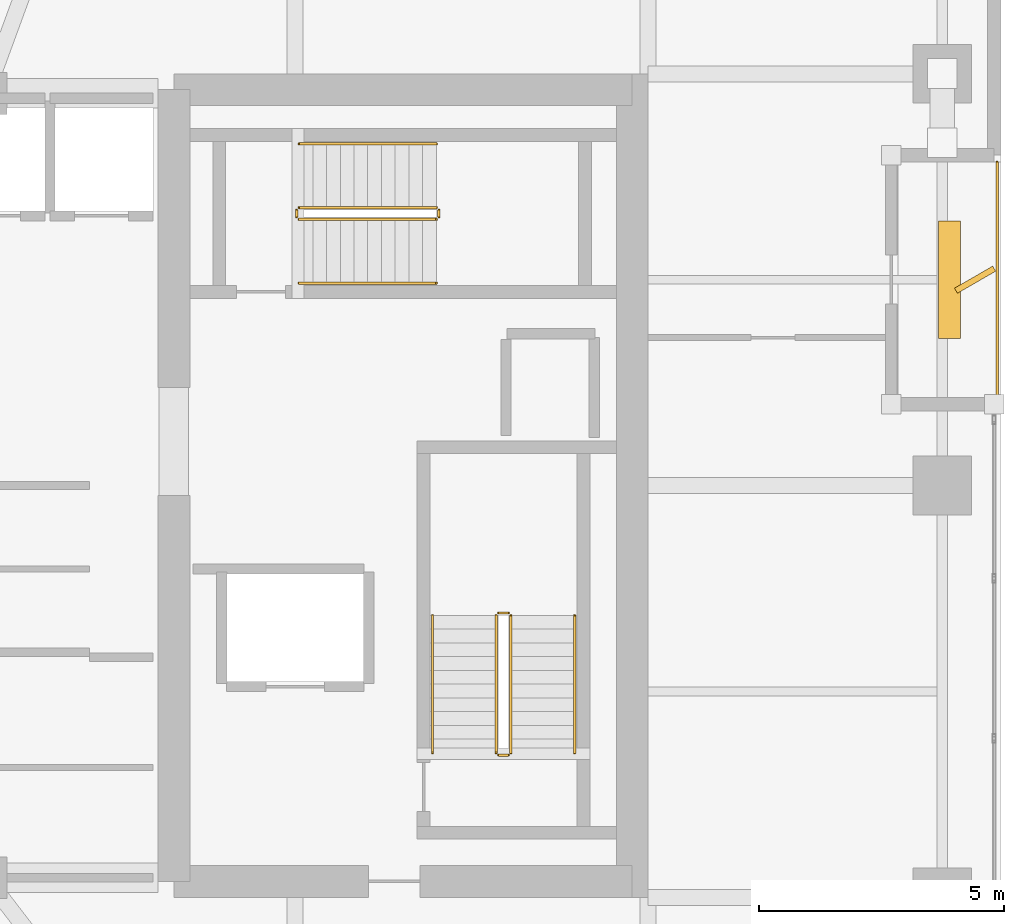
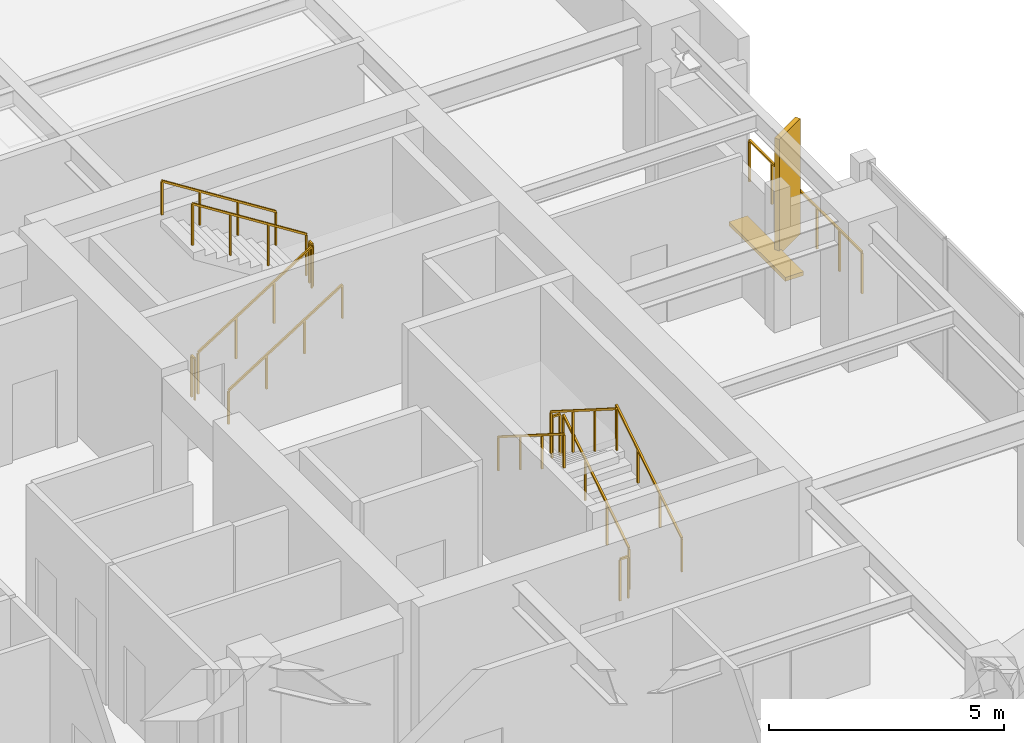
# One storey, part 25 of 26: 13 railings, 2 shading devices.
"""IFC4 building model written with IfcOpenShell, lengths in metres."""

from ifc_helpers import new_model, si_unit, direction, frame, origin, origin_2d, place, context, subcontext, project, spatial, rectangle, extrude, material, type_object, element, save


model = new_model("IFC4")

# Units and contexts
model_context = context("Model", 3, precision=1e-05, world=origin(), true_north=direction((0.0, 1.0)))
body_context = subcontext(model_context, "Body", "Model", "MODEL_VIEW")
ifc_project = project(units=[si_unit("LENGTHUNIT", "METRE"), si_unit("AREAUNIT", "SQUARE_METRE"), si_unit("VOLUMEUNIT", "CUBIC_METRE"), si_unit("PLANEANGLEUNIT", "RADIAN"), si_unit("MASSUNIT", "GRAM", prefix="KILO")], contexts=[model_context])

# Site, building, storey
site_placement = place(None, origin())
site = spatial("IfcSite", under=ifc_project, at=site_placement, CompositionType="ELEMENT")
building_placement = place(site_placement, origin())
building = spatial("IfcBuilding", under=site, at=building_placement, Name="Kiyonajd Concourse Tower", CompositionType="ELEMENT")
storey_placement = place(building_placement, frame((0.0, 0.0, 186.300048828125)))
storey = spatial("IfcBuildingStorey", under=building, at=storey_placement, Name="L47", CompositionType="ELEMENT", Elevation=186.300048828125)

# Railings
ifc_material_1 = material(Name="Thermally Broken Anodised Aluminium", Category="aluminium")
railing_type_1 = type_object("IfcRailingType", Name="RL-GRD-LOG", PredefinedType="GUARDRAIL", material=ifc_material_1)
railing_1_placement = place(storey_placement, frame((70.719970703125, 37.800048828125, 0.0)))
element("IfcRailing", 1, at=railing_1_placement, inside=storey, type_object=railing_type_1, Name="L47 Engawa Loggia Perimeter Guard LOG-E", PredefinedType="GUARDRAIL", context=body_context, shape_type="SweptSolid", body=[
    extrude(rectangle(XDim=0.048095703125, YDim=0.048095703125, at=origin_2d()), frame((0.0, 0.0, 1.076171875), z_axis=(0.0, 1.0, 0.0), x_axis=(-1.0, 0.0, 0.0)), (0.0, 0.0, 1.0), 4.800048828125),
    extrude(rectangle(XDim=0.0419921875, YDim=0.0419921875, at=origin_2d()), origin(), (0.0, 0.0, 1.0), 1.052001953125),
    extrude(rectangle(XDim=0.0419921875, YDim=0.0419921875, at=origin_2d()), frame((0.0, 0.9599609375, 0.0)), (0.0, 0.0, 1.0), 1.052001953125),
    extrude(rectangle(XDim=0.0419921875, YDim=0.0419921875, at=origin_2d()), frame((0.0, 1.919921875, 0.0)), (0.0, 0.0, 1.0), 1.052001953125),
    extrude(rectangle(XDim=0.0419921875, YDim=0.0419921875, at=origin_2d()), frame((0.0, 2.880126953125, 0.0)), (0.0, 0.0, 1.0), 1.052001953125),
    extrude(rectangle(XDim=0.0419921875, YDim=0.0419921875, at=origin_2d()), frame((0.0, 3.840087890625, 0.0)), (0.0, 0.0, 1.0), 1.052001953125),
    extrude(rectangle(XDim=0.0419921875, YDim=0.0419921875, at=origin_2d()), frame((0.0, 4.800048828125, 0.0)), (0.0, 0.0, 1.0), 1.052001953125),
])
ifc_material_2 = material(Name="Steel ASTM A500 Grade C", Category="steel")
railing_type_2 = type_object("IfcRailingType", Name="RL-GRD-STR", PredefinedType="GUARDRAIL", material=ifc_material_2)
railing_2_placement = place(storey_placement, frame((60.800048828125, 30.550048828125, 0.17724609375)))
element("IfcRailing", 2, at=railing_2_placement, inside=storey, type_object=railing_type_2, Name="L47 ST2 stair guard 1", PredefinedType="GUARDRAIL", context=body_context, shape_type="SweptSolid", body=[
    extrude(rectangle(XDim=0.048095703125, YDim=0.048095703125, at=origin_2d()), frame((0.0, 0.0, 1.076171875), z_axis=(0.0, 0.844908973607, 0.534910110503), x_axis=(-1.0, 0.0, 0.0)), (0.0, 0.0, 1.0), 3.31396484375),
    extrude(rectangle(XDim=0.0419921875, YDim=0.0419921875, at=origin_2d()), origin(), (0.0, 0.0, 1.0), 1.052001953125),
    extrude(rectangle(XDim=0.0419921875, YDim=0.0419921875, at=origin_2d()), frame((0.0, 0.933349609375, 0.5908203125)), (0.0, 0.0, 1.0), 1.052001953125),
    extrude(rectangle(XDim=0.0419921875, YDim=0.0419921875, at=origin_2d()), frame((0.0, 1.86669921875, 1.181884765625)), (0.0, 0.0, 1.0), 1.052001953125),
    extrude(rectangle(XDim=0.0419921875, YDim=0.0419921875, at=origin_2d()), frame((0.0, 2.800048828125, 1.772705078125)), (0.0, 0.0, 1.0), 1.052001953125),
])
railing_3_placement = place(storey_placement, frame((60.75, 33.39990234375, 1.949951171875)))
element("IfcRailing", 3, at=railing_3_placement, inside=storey, type_object=railing_type_2, Name="L47 ST2 stair guard 2", PredefinedType="GUARDRAIL", context=body_context, shape_type="SweptSolid", body=[
    extrude(rectangle(XDim=0.048095703125, YDim=0.048095703125, at=origin_2d()), frame((0.0, 0.0, 1.076171875), z_axis=(-1.0, 0.0, 0.0), x_axis=(0.0, -1.0, 0.0)), (0.0, 0.0, 1.0), 0.199951171875),
    extrude(rectangle(XDim=0.0419921875, YDim=0.0419921875, at=origin_2d()), origin(), (0.0, 0.0, 1.0), 1.052001953125),
    extrude(rectangle(XDim=0.0419921875, YDim=0.0419921875, at=origin_2d()), frame((-0.199951171875, 0.0, 0.0)), (0.0, 0.0, 1.0), 1.052001953125),
])
railing_4_placement = place(storey_placement, frame((60.5, 33.35009765625, 2.127197265625)))
element("IfcRailing", 4, at=railing_4_placement, inside=storey, type_object=railing_type_2, Name="L47 ST2 stair guard 3", PredefinedType="GUARDRAIL", context=body_context, shape_type="SweptSolid", body=[
    extrude(rectangle(XDim=0.048095703125, YDim=0.048095703125, at=origin_2d()), frame((0.0, 0.0, 1.076171875), z_axis=(0.0, -0.844908973607, 0.534910110503), x_axis=(1.0, 0.0, 0.0)), (0.0, 0.0, 1.0), 3.31396484375),
    extrude(rectangle(XDim=0.0419921875, YDim=0.0419921875, at=origin_2d()), origin(), (0.0, 0.0, 1.0), 1.052001953125),
    extrude(rectangle(XDim=0.0419921875, YDim=0.0419921875, at=origin_2d()), frame((0.0, -0.933349609375, 0.5908203125)), (0.0, 0.0, 1.0), 1.052001953125),
    extrude(rectangle(XDim=0.0419921875, YDim=0.0419921875, at=origin_2d()), frame((0.0, -1.86669921875, 1.181884765625)), (0.0, 0.0, 1.0), 1.052001953125),
    extrude(rectangle(XDim=0.0419921875, YDim=0.0419921875, at=origin_2d()), frame((0.0, -2.800048828125, 1.772705078125)), (0.0, 0.0, 1.0), 1.052001953125),
])
railing_5_placement = place(storey_placement, frame((60.75, 30.5, 0.0)))
element("IfcRailing", 5, at=railing_5_placement, inside=storey, type_object=railing_type_2, Name="L47 ST2 stair guard 4", PredefinedType="GUARDRAIL", context=body_context, shape_type="SweptSolid", body=[
    extrude(rectangle(XDim=0.048095703125, YDim=0.048095703125, at=origin_2d()), frame((0.0, 0.0, 1.076171875), z_axis=(-1.0, 0.0, 0.0), x_axis=(0.0, -1.0, 0.0)), (0.0, 0.0, 1.0), 0.199951171875),
    extrude(rectangle(XDim=0.0419921875, YDim=0.0419921875, at=origin_2d()), origin(), (0.0, 0.0, 1.0), 1.052001953125),
    extrude(rectangle(XDim=0.0419921875, YDim=0.0419921875, at=origin_2d()), frame((-0.199951171875, 0.0, 0.0)), (0.0, 0.0, 1.0), 1.052001953125),
])
railing_6_placement = place(storey_placement, frame((56.47998046875, 41.429931640625, 0.17724609375)))
element("IfcRailing", 6, at=railing_6_placement, inside=storey, type_object=railing_type_2, Name="L47 ST3 stair guard 1", PredefinedType="GUARDRAIL", context=body_context, shape_type="SweptSolid", body=[
    extrude(rectangle(XDim=0.048095703125, YDim=0.048095703125, at=origin_2d()), frame((0.0, 0.0, 1.076171875), z_axis=(0.844908973607, 0.0, 0.534910110503), x_axis=(0.0, 1.0, 0.0)), (0.0, 0.0, 1.0), 3.31396484375),
    extrude(rectangle(XDim=0.0419921875, YDim=0.0419921875, at=origin_2d()), origin(), (0.0, 0.0, 1.0), 1.052001953125),
    extrude(rectangle(XDim=0.0419921875, YDim=0.0419921875, at=origin_2d()), frame((0.933349609375, 0.0, 0.5908203125)), (0.0, 0.0, 1.0), 1.052001953125),
    extrude(rectangle(XDim=0.0419921875, YDim=0.0419921875, at=origin_2d()), frame((1.86669921875, 0.0, 1.181884765625)), (0.0, 0.0, 1.0), 1.052001953125),
    extrude(rectangle(XDim=0.0419921875, YDim=0.0419921875, at=origin_2d()), frame((2.800048828125, 0.0, 1.772705078125)), (0.0, 0.0, 1.0), 1.052001953125),
])
railing_7_placement = place(storey_placement, frame((59.330078125, 41.47998046875, 1.949951171875)))
element("IfcRailing", 7, at=railing_7_placement, inside=storey, type_object=railing_type_2, Name="L47 ST3 stair guard 2", PredefinedType="GUARDRAIL", context=body_context, shape_type="SweptSolid", body=[
    extrude(rectangle(XDim=0.048095703125, YDim=0.048095703125, at=origin_2d()), frame((0.0, 0.0, 1.076171875), z_axis=(0.0, 1.0, 0.0), x_axis=(-1.0, 0.0, 0.0)), (0.0, 0.0, 1.0), 0.14013671875),
    extrude(rectangle(XDim=0.0419921875, YDim=0.0419921875, at=origin_2d()), origin(), (0.0, 0.0, 1.0), 1.052001953125),
    extrude(rectangle(XDim=0.0419921875, YDim=0.0419921875, at=origin_2d()), frame((0.0, 0.14013671875, 0.0)), (0.0, 0.0, 1.0), 1.052001953125),
])
railing_8_placement = place(storey_placement, frame((59.280029296875, 41.669921875, 2.127197265625)))
element("IfcRailing", 8, at=railing_8_placement, inside=storey, type_object=railing_type_2, Name="L47 ST3 stair guard 3", PredefinedType="GUARDRAIL", context=body_context, shape_type="SweptSolid", body=[
    extrude(rectangle(XDim=0.048095703125, YDim=0.048095703125, at=origin_2d()), frame((0.0, 0.0, 1.076171875), z_axis=(-0.844908973607, 0.0, 0.534910110503), x_axis=(0.0, -1.0, 0.0)), (0.0, 0.0, 1.0), 3.31396484375),
    extrude(rectangle(XDim=0.0419921875, YDim=0.0419921875, at=origin_2d()), origin(), (0.0, 0.0, 1.0), 1.052001953125),
    extrude(rectangle(XDim=0.0419921875, YDim=0.0419921875, at=origin_2d()), frame((-0.933349609375, 0.0, 0.5908203125)), (0.0, 0.0, 1.0), 1.052001953125),
    extrude(rectangle(XDim=0.0419921875, YDim=0.0419921875, at=origin_2d()), frame((-1.86669921875, 0.0, 1.181884765625)), (0.0, 0.0, 1.0), 1.052001953125),
    extrude(rectangle(XDim=0.0419921875, YDim=0.0419921875, at=origin_2d()), frame((-2.800048828125, 0.0, 1.772705078125)), (0.0, 0.0, 1.0), 1.052001953125),
])
railing_9_placement = place(storey_placement, frame((56.429931640625, 41.47998046875, 0.0)))
element("IfcRailing", 9, at=railing_9_placement, inside=storey, type_object=railing_type_2, Name="L47 ST3 stair guard 4", PredefinedType="GUARDRAIL", context=body_context, shape_type="SweptSolid", body=[
    extrude(rectangle(XDim=0.048095703125, YDim=0.048095703125, at=origin_2d()), frame((0.0, 0.0, 1.076171875), z_axis=(0.0, 1.0, 0.0), x_axis=(-1.0, 0.0, 0.0)), (0.0, 0.0, 1.0), 0.14013671875),
    extrude(rectangle(XDim=0.0419921875, YDim=0.0419921875, at=origin_2d()), origin(), (0.0, 0.0, 1.0), 1.052001953125),
    extrude(rectangle(XDim=0.0419921875, YDim=0.0419921875, at=origin_2d()), frame((0.0, 0.14013671875, 0.0)), (0.0, 0.0, 1.0), 1.052001953125),
])
ifc_material_3 = material(Name="Brushed Stainless Steel Cab Assembly", Category="steel")
railing_type_3 = type_object("IfcRailingType", Name="RL-HND-900", PredefinedType="HANDRAIL", material=ifc_material_3)
railing_10_placement = place(storey_placement, frame((62.10009765625, 30.550048828125, 0.17724609375)))
element("IfcRailing", 10, at=railing_10_placement, inside=storey, type_object=railing_type_3, Name="L47 ST2 stair handrail 1", PredefinedType="HANDRAIL", context=body_context, shape_type="SweptSolid", body=[
    extrude(rectangle(XDim=0.048095703125, YDim=0.048095703125, at=origin_2d()), frame((0.0, 0.0, 0.8759765625), z_axis=(0.0, 0.844908973607, 0.534910110503), x_axis=(-1.0, 0.0, 0.0)), (0.0, 0.0, 1.0), 3.31396484375),
    extrude(rectangle(XDim=0.0419921875, YDim=0.0419921875, at=origin_2d()), origin(), (0.0, 0.0, 1.0), 0.851806640625),
    extrude(rectangle(XDim=0.0419921875, YDim=0.0419921875, at=origin_2d()), frame((0.0, 0.933349609375, 0.5908203125)), (0.0, 0.0, 1.0), 0.851806640625),
    extrude(rectangle(XDim=0.0419921875, YDim=0.0419921875, at=origin_2d()), frame((0.0, 1.86669921875, 1.181884765625)), (0.0, 0.0, 1.0), 0.851806640625),
    extrude(rectangle(XDim=0.0419921875, YDim=0.0419921875, at=origin_2d()), frame((0.0, 2.800048828125, 1.772705078125)), (0.0, 0.0, 1.0), 0.851806640625),
])
railing_11_placement = place(storey_placement, frame((59.199951171875, 33.35009765625, 2.127197265625)))
element("IfcRailing", 11, at=railing_11_placement, inside=storey, type_object=railing_type_3, Name="L47 ST2 stair handrail 2", PredefinedType="HANDRAIL", context=body_context, shape_type="SweptSolid", body=[
    extrude(rectangle(XDim=0.048095703125, YDim=0.048095703125, at=origin_2d()), frame((0.0, 0.0, 0.8759765625), z_axis=(0.0, -0.844908973607, 0.534910110503), x_axis=(1.0, 0.0, 0.0)), (0.0, 0.0, 1.0), 3.31396484375),
    extrude(rectangle(XDim=0.0419921875, YDim=0.0419921875, at=origin_2d()), origin(), (0.0, 0.0, 1.0), 0.851806640625),
    extrude(rectangle(XDim=0.0419921875, YDim=0.0419921875, at=origin_2d()), frame((0.0, -0.933349609375, 0.5908203125)), (0.0, 0.0, 1.0), 0.851806640625),
    extrude(rectangle(XDim=0.0419921875, YDim=0.0419921875, at=origin_2d()), frame((0.0, -1.86669921875, 1.181884765625)), (0.0, 0.0, 1.0), 0.851806640625),
    extrude(rectangle(XDim=0.0419921875, YDim=0.0419921875, at=origin_2d()), frame((0.0, -2.800048828125, 1.772705078125)), (0.0, 0.0, 1.0), 0.851806640625),
])
railing_12_placement = place(storey_placement, frame((56.47998046875, 40.1298828125, 0.17724609375)))
element("IfcRailing", 12, at=railing_12_placement, inside=storey, type_object=railing_type_3, Name="L47 ST3 stair handrail 1", PredefinedType="HANDRAIL", context=body_context, shape_type="SweptSolid", body=[
    extrude(rectangle(XDim=0.048095703125, YDim=0.048095703125, at=origin_2d()), frame((0.0, 0.0, 0.8759765625), z_axis=(0.844908973607, 0.0, 0.534910110503), x_axis=(0.0, 1.0, 0.0)), (0.0, 0.0, 1.0), 3.31396484375),
    extrude(rectangle(XDim=0.0419921875, YDim=0.0419921875, at=origin_2d()), origin(), (0.0, 0.0, 1.0), 0.851806640625),
    extrude(rectangle(XDim=0.0419921875, YDim=0.0419921875, at=origin_2d()), frame((0.933349609375, 0.0, 0.5908203125)), (0.0, 0.0, 1.0), 0.851806640625),
    extrude(rectangle(XDim=0.0419921875, YDim=0.0419921875, at=origin_2d()), frame((1.86669921875, 0.0, 1.181884765625)), (0.0, 0.0, 1.0), 0.851806640625),
    extrude(rectangle(XDim=0.0419921875, YDim=0.0419921875, at=origin_2d()), frame((2.800048828125, 0.0, 1.772705078125)), (0.0, 0.0, 1.0), 0.851806640625),
])
railing_13_placement = place(storey_placement, frame((59.280029296875, 42.969970703125, 2.127197265625)))
element("IfcRailing", 13, at=railing_13_placement, inside=storey, type_object=railing_type_3, Name="L47 ST3 stair handrail 2", PredefinedType="HANDRAIL", context=body_context, shape_type="SweptSolid", body=[
    extrude(rectangle(XDim=0.048095703125, YDim=0.048095703125, at=origin_2d()), frame((0.0, 0.0, 0.8759765625), z_axis=(-0.844908973607, 0.0, 0.534910110503), x_axis=(0.0, -1.0, 0.0)), (0.0, 0.0, 1.0), 3.31396484375),
    extrude(rectangle(XDim=0.0419921875, YDim=0.0419921875, at=origin_2d()), origin(), (0.0, 0.0, 1.0), 0.851806640625),
    extrude(rectangle(XDim=0.0419921875, YDim=0.0419921875, at=origin_2d()), frame((-0.933349609375, 0.0, 0.5908203125)), (0.0, 0.0, 1.0), 0.851806640625),
    extrude(rectangle(XDim=0.0419921875, YDim=0.0419921875, at=origin_2d()), frame((-1.86669921875, 0.0, 1.181884765625)), (0.0, 0.0, 1.0), 0.851806640625),
    extrude(rectangle(XDim=0.0419921875, YDim=0.0419921875, at=origin_2d()), frame((-2.800048828125, 0.0, 1.772705078125)), (0.0, 0.0, 1.0), 0.851806640625),
])

# Shading devices
ifc_material_4 = material(Name="Precast concrete C50/60", Category="concrete")
shading_device_type_1 = type_object("IfcShadingDeviceType", Name="SH-FIN-900", PredefinedType="USERDEFINED", material=ifc_material_4)
shading_device_1_placement = place(storey_placement, frame((70.27001953125, 40.199951171875, 0.0), z_axis=(0.0, 0.0, 1.0), x_axis=(0.866025403784, 0.5, 0.0)))
element("IfcShadingDevice", 14, at=shading_device_1_placement, inside=storey, type_object=shading_device_type_1, Name="L47 Angled Koshi Solar Fin LOG-E", ObjectType="FIN", PredefinedType="USERDEFINED", context=body_context, shape_type="SweptSolid", body=[
    extrude(rectangle(XDim=0.89990234375, YDim=0.1201171875, at=origin_2d()), origin(), (0.0, 0.0, 1.0), 3.0),
])
shading_device_type_2 = type_object("IfcShadingDeviceType", Name="SH-LVR-600", PredefinedType="JALOUSIE", material=ifc_material_1)
shading_device_2_placement = place(storey_placement, frame((69.75, 40.199951171875, 0.0), z_axis=(0.0, 0.0, 1.0), x_axis=(0.0, 1.0, 0.0)))
element("IfcShadingDevice", 15, at=shading_device_2_placement, inside=storey, type_object=shading_device_type_2, Name="L47 Loggia Threshold Louver LOG-E", PredefinedType="JALOUSIE", context=body_context, shape_type="SweptSolid", body=[
    extrude(rectangle(XDim=2.39990234375, YDim=0.449951171875, at=origin_2d()), origin(), (0.0, 0.0, 1.0), 0.10009765625),
])

save(model, "model.ifc")
